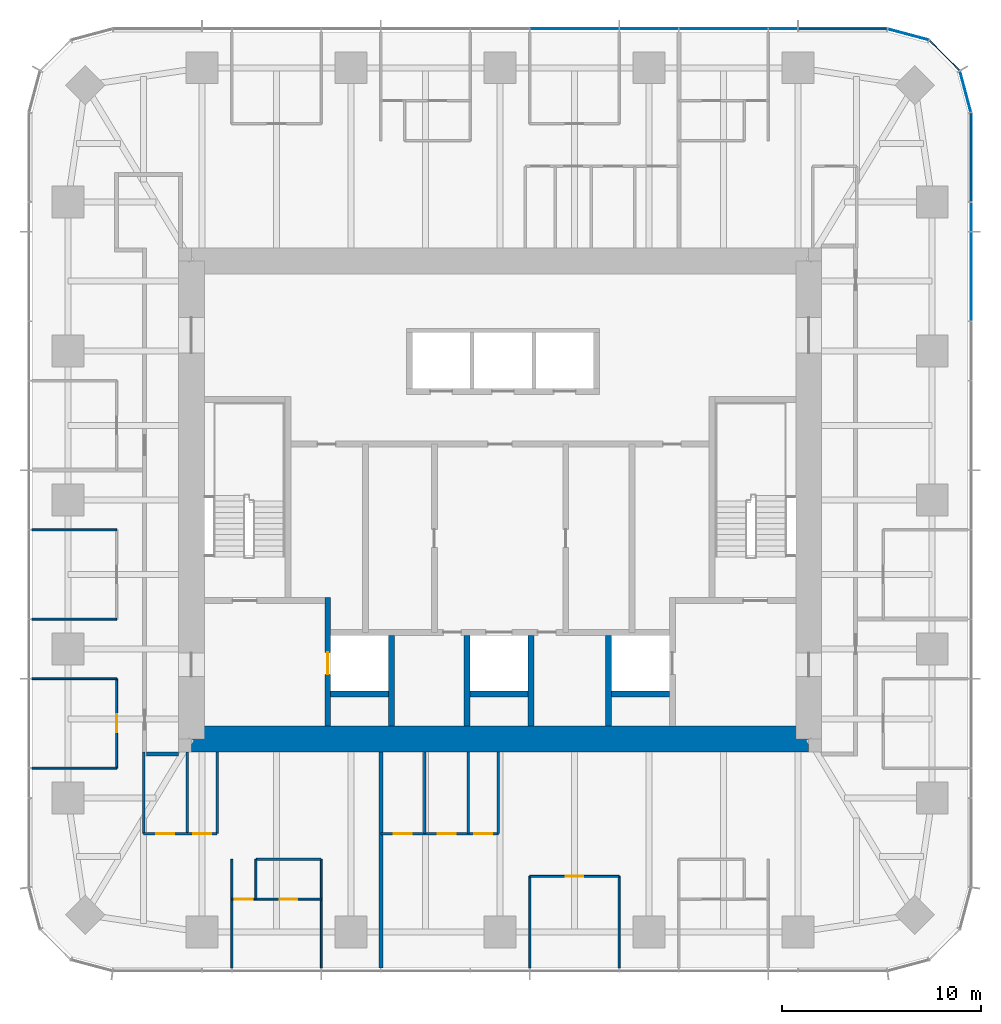
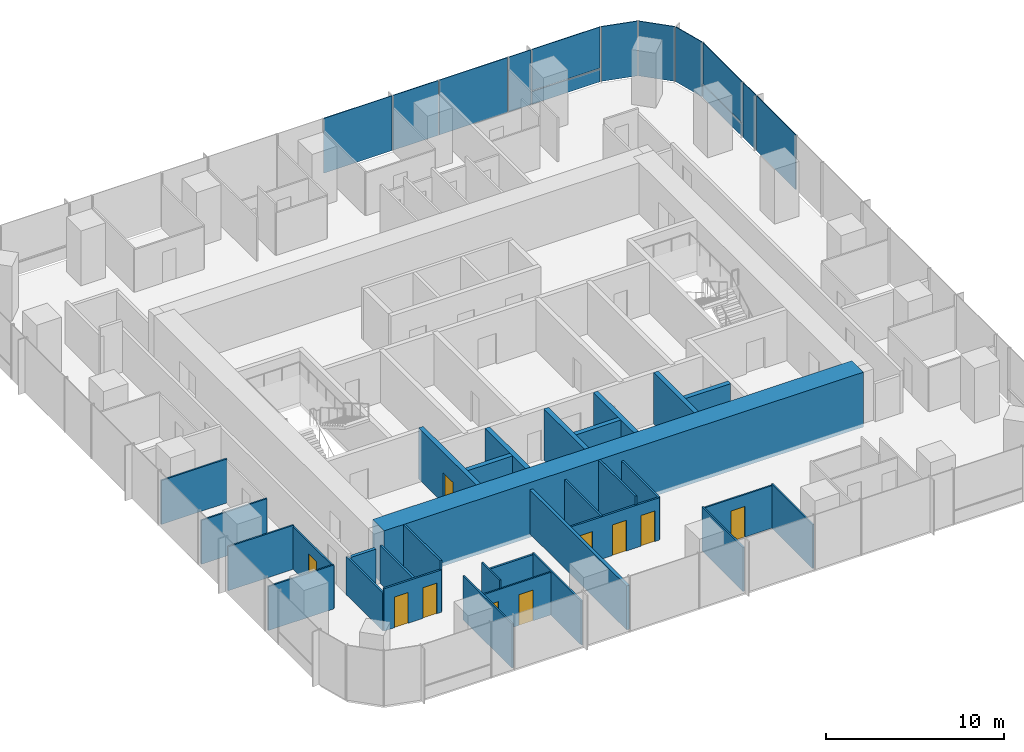
# One storey, part 8 of 12: 32 walls, 13 plates, 10 doors, 10 openings, 3 elements without a shape of their own.
"""IFC4 building model written with IfcOpenShell, lengths in metres."""

import ifcopenshell
import ifcopenshell.guid

model = None  # the IFC model being written
_history = None  # IfcOwnerHistory: only IFC2X3 demands one
_inside = {}  # id of a spatial element -> (the spatial element, [elements in it])
_under = {}  # id of a project, library or spatial element -> (it, [spatial elements below it])
_declared = {}  # id of a project -> (the project, [libraries it declares])
_typed = {}  # id of a type object -> (the type object, [elements of that type])
_made_of = {}  # id of a material, layer set ... -> (it, [elements and type objects made of it])


def new_model(schema):
    """Start an empty IFC model of exactly this schema.

    Asked for "IFC4X3", IfcOpenShell would pick the latest addendum, in which some entities
    have other attributes; the version numbers below select the first issue.
    IFC2X3 requires an IfcOwnerHistory on every rooted entity: one is made here for all.
    """
    global model, _history
    if schema == "IFC4X3":
        model = ifcopenshell.file(schema_version=(4, 3, 0, 0))
    else:
        model = ifcopenshell.file(schema=schema)
    _inside.clear()
    _under.clear()
    _declared.clear()
    _typed.clear()
    _made_of.clear()
    _history = None
    if model.schema == "IFC2X3":
        org = make("IfcOrganization", Name="unknown")
        user = make(
            "IfcPersonAndOrganization",
            ThePerson=make("IfcPerson", FamilyName="unknown"),
            TheOrganization=org,
        )
        app = make(
            "IfcApplication",
            ApplicationDeveloper=org,
            Version="unknown",
            ApplicationFullName="unknown",
            ApplicationIdentifier="unknown",
        )
        _history = make(
            "IfcOwnerHistory",
            OwningUser=user,
            OwningApplication=app,
            ChangeAction="ADDED",
            CreationDate=0,
        )
    return model


def make(cls, **values):
    """One entity of the class cls with the attributes given. An attribute that is None is left unset."""
    return model.create_entity(
        cls, **{name: value for name, value in values.items() if value is not None}
    )


def rooted(cls, **values):
    """An entity with a GlobalId (a new one), such as an element, a storey or a relation."""
    return make(cls, GlobalId=ifcopenshell.guid.new(), OwnerHistory=_history, **values)


def si_unit(unit_type, name, prefix=None):
    """IfcSIUnit, for example si_unit("LENGTHUNIT", "METRE", prefix="MILLI")."""
    return make("IfcSIUnit", UnitType=unit_type, Prefix=prefix, Name=name)


def assignment(units):
    """IfcUnitAssignment: the units of a project."""
    return None if units is None else make("IfcUnitAssignment", Units=units)


def point(xyz):
    """IfcCartesianPoint."""
    return None if xyz is None else make("IfcCartesianPoint", Coordinates=xyz)


def direction(xyz):
    """IfcDirection."""
    return None if xyz is None else make("IfcDirection", DirectionRatios=xyz)


def frame(location, z_axis=None, x_axis=None):
    """IfcAxis2Placement3D, a coordinate frame: its origin and axes. An axis left out is left unset."""
    return make(
        "IfcAxis2Placement3D",
        Location=point(location),
        Axis=direction(z_axis),
        RefDirection=direction(x_axis),
    )


def frame_2d(location, x_axis=None):
    """IfcAxis2Placement2D, a coordinate frame in the plane: its origin and x axis."""
    return make(
        "IfcAxis2Placement2D", Location=point(location), RefDirection=direction(x_axis)
    )


def origin():
    """The frame at (0, 0, 0) with its axes left unset."""
    return frame((0.0, 0.0, 0.0))


def origin_2d():
    """The frame at (0, 0) in the plane with its x axis left unset."""
    return frame_2d((0.0, 0.0))


def place(relative_to, where):
    """IfcLocalPlacement: puts the frame where relative to a parent placement (None: the world)."""
    return make(
        "IfcLocalPlacement", PlacementRelTo=relative_to, RelativePlacement=where
    )


def context(
    kind, dimensions, precision=None, world=None, true_north=None, identifier=None
):
    """IfcGeometricRepresentationContext, for example the 3D "Model" context."""
    return make(
        "IfcGeometricRepresentationContext",
        ContextIdentifier=identifier,
        ContextType=kind,
        CoordinateSpaceDimension=dimensions,
        Precision=precision,
        WorldCoordinateSystem=world,
        TrueNorth=true_north,
    )


def subcontext(parent, identifier, kind, view, scale=None):
    """IfcGeometricRepresentationSubContext, for example "Body" below "Model"."""
    return make(
        "IfcGeometricRepresentationSubContext",
        ContextIdentifier=identifier,
        ContextType=kind,
        ParentContext=parent,
        TargetScale=scale,
        TargetView=view,
    )


def project(units=None, contexts=None):
    """IfcProject with its units and contexts."""
    return rooted(
        "IfcProject",
        Name="project",
        RepresentationContexts=contexts,
        UnitsInContext=assignment(units),
    )


def spatial(cls, under=None, at=None, **own):
    """A site, building, storey or space (cls), placed at a placement, below another one or the project."""
    s = rooted(cls, ObjectPlacement=at, **own)
    if under is not None:
        _under.setdefault(under.id(), (under, []))[1].append(s)
    return s


def profile(cls, at=None, kind="AREA", **sizes):
    """A parametric profile (cls). Its sizes go by their IFC names, for example OverallWidth=200.0."""
    return make(cls, ProfileType=kind, Position=at, **sizes)


def rectangle(**sizes):
    """IfcRectangleProfileDef."""
    return profile("IfcRectangleProfileDef", **sizes)


def extrude(swept, where, along, depth):
    """IfcExtrudedAreaSolid: the profile swept, set in the frame where, extruded along a direction by depth."""
    return make(
        "IfcExtrudedAreaSolid",
        SweptArea=swept,
        Position=where,
        ExtrudedDirection=direction(along),
        Depth=depth,
    )


def shape(context_of_items, identifier, shape_type, items):
    """IfcShapeRepresentation: the items that make up one representation, for example the "Body"."""
    return make(
        "IfcShapeRepresentation",
        ContextOfItems=context_of_items,
        RepresentationIdentifier=identifier,
        RepresentationType=shape_type,
        Items=items,
    )


def material(Name=None, Category=None):
    """IfcMaterial."""
    return make("IfcMaterial", Name=Name, Category=Category)


def layer(
    of_material, thickness, ventilated=None, Name=None, Category=None, Priority=None
):
    """IfcMaterialLayer: one layer of a wall or slab, of a material (None: an air gap)."""
    return make(
        "IfcMaterialLayer",
        Material=of_material,
        LayerThickness=thickness,
        IsVentilated=ventilated,
        Name=Name,
        Category=Category,
        Priority=Priority,
    )


def layer_set(layers, Name=None):
    """IfcMaterialLayerSet."""
    return make("IfcMaterialLayerSet", MaterialLayers=layers, LayerSetName=Name)


def made_of(thing, what):
    """Note that an element or type object is made of a material, layer set ...; save() writes the relation."""
    if what is not None:
        _made_of.setdefault(what.id(), (what, []))[1].append(thing)
    return thing


def type_object(cls, material=None, **own):
    """A type object (cls), such as IfcWallType, which elements share."""
    return made_of(rooted(cls, **own), material)


def element(
    cls,
    number,
    at=None,
    inside=None,
    cuts=None,
    type_object=None,
    material=None,
    context=None,
    identifier="Body",
    shape_type=None,
    held_by="IfcProductDefinitionShape",
    body=None,
    shapes=None,
    **own,
):
    """One element of the class cls, such as IfcWall. Its Tag is "e" and its number.

    at: its placement. inside: the storey or other place that contains it. cuts: it is an
    opening in that element (IfcRelVoidsElement). A single representation is given by context,
    identifier, shape_type and body (its items); several are given by shapes. held_by: the class
    of the entity that holds the representations. save() writes the other relations.
    """
    e = rooted(cls, Tag="e%d" % number, ObjectPlacement=at, **own)
    if body is not None:
        shapes = [shape(context, identifier, shape_type, body)]
    if shapes is not None:
        e.Representation = make(held_by, Representations=shapes)
    if inside is not None:
        _inside.setdefault(inside.id(), (inside, []))[1].append(e)
    if cuts is not None:
        rooted(
            "IfcRelVoidsElement", RelatingBuildingElement=cuts, RelatedOpeningElement=e
        )
    if type_object is not None:
        _typed.setdefault(type_object.id(), (type_object, []))[1].append(e)
    return made_of(e, material)


def fill(opening, filler):
    """IfcRelFillsElement: the door or window that sits in an opening."""
    return rooted(
        "IfcRelFillsElement",
        RelatingOpeningElement=opening,
        RelatedBuildingElement=filler,
    )


def aggregate(whole, parts):
    """IfcRelAggregates: a whole, such as a stair, and the parts it consists of."""
    return rooted("IfcRelAggregates", RelatingObject=whole, RelatedObjects=parts)


def save(model, path):
    """Write the relations noted so far, then the file.

    IfcRelAggregates (storeys below a building ...), IfcRelContainedInSpatialStructure (elements
    in a storey), IfcRelDefinesByType, IfcRelAssociatesMaterial and IfcRelDeclares: one each for
    every whole, place, type object, material and project.
    """
    for whole, parts in _under.values():
        aggregate(whole, parts)
    for where, things in _inside.values():
        rooted(
            "IfcRelContainedInSpatialStructure",
            RelatedElements=things,
            RelatingStructure=where,
        )
    for kind, things in _typed.values():
        rooted("IfcRelDefinesByType", RelatedObjects=things, RelatingType=kind)
    for what, things in _made_of.values():
        rooted("IfcRelAssociatesMaterial", RelatedObjects=things, RelatingMaterial=what)
    for by, libraries in _declared.values():
        rooted("IfcRelDeclares", RelatingContext=by, RelatedDefinitions=libraries)
    model.write(path)


model = new_model("IFC4")

# Units and contexts
model_context = context("Model", 3, precision=1e-05, world=origin(), true_north=direction((0.0, 1.0)))
body_context = subcontext(model_context, "Body", "Model", "MODEL_VIEW")
ifc_project = project(units=[si_unit("LENGTHUNIT", "METRE"), si_unit("AREAUNIT", "SQUARE_METRE"), si_unit("VOLUMEUNIT", "CUBIC_METRE"), si_unit("PLANEANGLEUNIT", "RADIAN"), si_unit("MASSUNIT", "GRAM", prefix="KILO")], contexts=[model_context])

# Site, building, storey
site_placement = place(None, origin())
site = spatial("IfcSite", under=ifc_project, at=site_placement, CompositionType="ELEMENT")
building_placement = place(site_placement, origin())
building = spatial("IfcBuilding", under=site, at=building_placement, Name="Khuree Lantern Residences", CompositionType="ELEMENT")
storey_placement = place(building_placement, frame((0.0, 0.0, 312.0)))
storey = spatial("IfcBuildingStorey", under=building, at=storey_placement, Name="L78", CompositionType="ELEMENT", Elevation=312.0)

# Curtain wall, plates
ifc_material_1 = material(Name="Bronze anodised aluminium", Category="aluminium")
curtain_wall_type_1 = type_object("IfcCurtainWallType", Name="CW-T2 TOWER CORNER CURTAIN WALL", PredefinedType="USERDEFINED", material=ifc_material_1)
curtain_wall_1_placement = place(storey_placement, origin())
curtain_wall_1 = element("IfcCurtainWall", 1, at=curtain_wall_1_placement, inside=storey, type_object=curtain_wall_type_1, Name="L78 NORTH-EAST CORNER CURTAIN WALL", ObjectType="Faceted corner curtain wall", PredefinedType="USERDEFINED")
ifc_material_2 = material(Name="Bronze tinted triple glazing", Category="glass")
ifc_layer_1 = layer(ifc_material_2, 0.048095703125)
ifc_layer_set_1 = layer_set([ifc_layer_1], Name="FACET PANEL P4")
plate_type_1 = type_object("IfcPlateType", Name="FACET PANEL P4", PredefinedType="CURTAIN_PANEL", material=ifc_layer_set_1)
plate_1_placement = place(storey_placement, frame((23.369140625, 20.498046875, 0.0), z_axis=(0.0, 0.0, 1.0), x_axis=(-0.2588189146, 0.965925861257, 0.0)))
plate_1 = element("IfcPlate", 2, at=plate_1_placement, type_object=plate_type_1, Name="L78 NORTH-EAST CORNER PANEL 15.1", PredefinedType="CURTAIN_PANEL", context=body_context, shape_type="SweptSolid", body=[
    extrude(rectangle(XDim=2.09814453125, YDim=0.048095703125, at=origin_2d()), origin(), (0.0, 0.0, 1.0), 3.75),
])
plate_2_placement = place(storey_placement, frame((22.318603515625, 22.318603515625, 0.0), z_axis=(0.0, 0.0, 1.0), x_axis=(-0.707106781187, 0.707106781187, 0.0)))
plate_2 = element("IfcPlate", 3, at=plate_2_placement, type_object=plate_type_1, Name="L78 NORTH-EAST CORNER PANEL 16.1", PredefinedType="CURTAIN_PANEL", context=body_context, shape_type="SweptSolid", body=[
    extrude(rectangle(XDim=2.093994140625, YDim=0.048095703125, at=origin_2d()), origin(), (0.0, 0.0, 1.0), 3.75),
])
plate_3_placement = place(storey_placement, frame((20.498046875, 23.369140625, 0.0), z_axis=(0.0, 0.0, 1.0), x_axis=(-0.965925861257, 0.2588189146, 0.0)))
plate_3 = element("IfcPlate", 4, at=plate_3_placement, type_object=plate_type_1, Name="L78 NORTH-EAST CORNER PANEL 17.1", PredefinedType="CURTAIN_PANEL", context=body_context, shape_type="SweptSolid", body=[
    extrude(rectangle(XDim=2.09814453125, YDim=0.048095703125, at=origin_2d()), origin(), (0.0, 0.0, 1.0), 3.75),
])
aggregate(curtain_wall_1, [plate_1, plate_2, plate_3])

# Curtain wall, plate
curtain_wall_type_2 = type_object("IfcCurtainWallType", Name="CW-T1 TOWER FACE CURTAIN WALL", PredefinedType="USERDEFINED", material=ifc_material_1)
curtain_wall_2_placement = place(storey_placement, origin())
curtain_wall_2 = element("IfcCurtainWall", 5, at=curtain_wall_2_placement, inside=storey, type_object=curtain_wall_type_2, Name="L78 EAST FACE CURTAIN WALL", ObjectType="Stick-built curtain wall", PredefinedType="USERDEFINED")
ifc_material_3 = material(Name="Bronze tinted triple glazing with a ceramic-fritted spandrel band", Category="glass")
ifc_layer_2 = layer(ifc_material_3, 0.048095703125)
ifc_layer_set_2 = layer_set([ifc_layer_2], Name="FIXED LIGHT PANEL P11")
plate_type_2 = type_object("IfcPlateType", Name="FIXED LIGHT PANEL P11", PredefinedType="CURTAIN_PANEL", material=ifc_layer_set_2)
plate_4_placement = place(storey_placement, frame((23.64990234375, 11.219970703125, 0.0), z_axis=(0.0, 0.0, 1.0), x_axis=(0.0, 1.0, 0.0)))
plate_4 = element("IfcPlate", 6, at=plate_4_placement, type_object=plate_type_2, Name="L78 EAST FACE PANEL 12.1", PredefinedType="CURTAIN_PANEL", context=body_context, shape_type="SweptSolid", body=[
    extrude(rectangle(XDim=4.423095703125, YDim=0.048095703125, at=origin_2d()), origin(), (0.0, 0.0, 1.0), 3.75),
])

# Curtain wall, plates
curtain_wall_3_placement = place(storey_placement, origin())
curtain_wall_3 = element("IfcCurtainWall", 7, at=curtain_wall_3_placement, inside=storey, type_object=curtain_wall_type_2, Name="L78 NORTH FACE CURTAIN WALL", ObjectType="Stick-built curtain wall", PredefinedType="USERDEFINED")
plate_5_placement = place(storey_placement, frame((11.219970703125, 23.64990234375, 0.0), z_axis=(0.0, 0.0, 1.0), x_axis=(-1.0, 0.0, 0.0)))
plate_5 = element("IfcPlate", 8, at=plate_5_placement, type_object=plate_type_2, Name="L78 NORTH FACE PANEL 20.1", PredefinedType="CURTAIN_PANEL", context=body_context, shape_type="SweptSolid", body=[
    extrude(rectangle(XDim=4.423095703125, YDim=0.048095703125, at=origin_2d()), origin(), (0.0, 0.0, 1.0), 3.75),
])
plate_6_placement = place(storey_placement, frame((3.739990234375, 23.64990234375, 0.0), z_axis=(0.0, 0.0, 1.0), x_axis=(-1.0, 0.0, 0.0)))
plate_6 = element("IfcPlate", 9, at=plate_6_placement, type_object=plate_type_2, Name="L78 NORTH FACE PANEL 22.1", PredefinedType="CURTAIN_PANEL", context=body_context, shape_type="SweptSolid", body=[
    extrude(rectangle(XDim=4.423095703125, YDim=0.048095703125, at=origin_2d()), origin(), (0.0, 0.0, 1.0), 3.75),
])
ifc_material_4 = material(Name="Bronze tinted triple glazing, two aluminium-framed sashes in one frame", Category="aluminium")
ifc_layer_3 = layer(ifc_material_4, 0.048095703125)
ifc_layer_set_3 = layer_set([ifc_layer_3], Name="SASH PAIR PANEL P12")
plate_type_3 = type_object("IfcPlateType", Name="SASH PAIR PANEL P12", PredefinedType="CURTAIN_PANEL", material=ifc_layer_set_3)
plate_7_placement = place(storey_placement, frame((7.47998046875, 23.64990234375, 0.0), z_axis=(0.0, 0.0, 1.0), x_axis=(-1.0, 0.0, 0.0)))
plate_7 = element("IfcPlate", 10, at=plate_7_placement, type_object=plate_type_3, Name="L78 NORTH FACE PANEL 21.1", PredefinedType="CURTAIN_PANEL", context=body_context, shape_type="SweptSolid", body=[
    extrude(rectangle(XDim=2.927001953125, YDim=0.048095703125, at=origin_2d()), origin(), (0.0, 0.0, 1.0), 3.75),
])

# Plate
ifc_material_5 = material(Name="Bronze tinted triple glazing, aluminium-framed sash", Category="aluminium")
ifc_layer_4 = layer(ifc_material_5, 0.048095703125)
ifc_layer_set_4 = layer_set([ifc_layer_4], Name="SASH PANEL P3")
plate_type_4 = type_object("IfcPlateType", Name="SASH PANEL P3", PredefinedType="CURTAIN_PANEL", material=ifc_layer_set_4)
plate_8_placement = place(storey_placement, frame((23.64990234375, 14.2119140625, 0.0), z_axis=(0.0, 0.0, 1.0), x_axis=(0.0, 1.0, 0.0)))
plate_8 = element("IfcPlate", 11, at=plate_8_placement, type_object=plate_type_4, Name="L78 EAST FACE PANEL 13.1", PredefinedType="CURTAIN_PANEL", context=body_context, shape_type="SweptSolid", body=[
    extrude(rectangle(XDim=1.430908203125, YDim=0.048095703125, at=origin_2d()), origin(), (0.0, 0.0, 1.0), 3.75),
])

plate_9_placement = place(storey_placement, frame((14.2119140625, 23.64990234375, 0.0), z_axis=(0.0, 0.0, 1.0), x_axis=(-1.0, 0.0, 0.0)))
plate_9 = element("IfcPlate", 12, at=plate_9_placement, type_object=plate_type_4, Name="L78 NORTH FACE PANEL 19.1", PredefinedType="CURTAIN_PANEL", context=body_context, shape_type="SweptSolid", body=[
    extrude(rectangle(XDim=1.430908203125, YDim=0.048095703125, at=origin_2d()), origin(), (0.0, 0.0, 1.0), 3.75),
])

ifc_material_6 = material(Name="Bronze anodised aluminium insulated spandrel", Category="aluminium")
ifc_layer_5 = layer(ifc_material_6, 0.06005859375)
ifc_layer_set_5 = layer_set([ifc_layer_5], Name="SPANDREL PANEL P2")
plate_type_5 = type_object("IfcPlateType", Name="SPANDREL PANEL P2", PredefinedType="CURTAIN_PANEL", material=ifc_layer_set_5)
plate_10_placement = place(storey_placement, frame((23.64990234375, 17.202880859375, 0.0), z_axis=(0.0, 0.0, 1.0), x_axis=(0.0, 1.0, 0.0)))
plate_10 = element("IfcPlate", 13, at=plate_10_placement, type_object=plate_type_5, Name="L78 EAST FACE PANEL 14.1", PredefinedType="CURTAIN_PANEL", context=body_context, shape_type="SweptSolid", body=[
    extrude(rectangle(XDim=4.420654296875, YDim=0.06005859375, at=origin_2d()), origin(), (0.0, 0.0, 1.0), 0.867431640625),
])

plate_11_placement = place(storey_placement, frame((17.202880859375, 23.64990234375, 0.0), z_axis=(0.0, 0.0, 1.0), x_axis=(-1.0, 0.0, 0.0)))
plate_11 = element("IfcPlate", 14, at=plate_11_placement, type_object=plate_type_5, Name="L78 NORTH FACE PANEL 18.1", PredefinedType="CURTAIN_PANEL", context=body_context, shape_type="SweptSolid", body=[
    extrude(rectangle(XDim=4.420654296875, YDim=0.06005859375, at=origin_2d()), origin(), (0.0, 0.0, 1.0), 0.867431640625),
])

ifc_layer_6 = layer(ifc_material_2, 0.048095703125)
ifc_layer_set_6 = layer_set([ifc_layer_6], Name="VISION PANEL P1")
plate_type_6 = type_object("IfcPlateType", Name="VISION PANEL P1", PredefinedType="CURTAIN_PANEL", material=ifc_layer_set_6)
plate_12_placement = place(storey_placement, frame((23.64990234375, 17.203369140625, 0.9326171875), z_axis=(0.0, 0.0, 1.0), x_axis=(0.0, 1.0, 0.0)))
plate_12 = element("IfcPlate", 15, at=plate_12_placement, type_object=plate_type_6, Name="L78 EAST FACE PANEL 14.2", PredefinedType="CURTAIN_PANEL", context=body_context, shape_type="SweptSolid", body=[
    extrude(rectangle(XDim=4.421630859375, YDim=0.048095703125, at=origin_2d()), origin(), (0.0, 0.0, 1.0), 2.8173828125),
])

aggregate(curtain_wall_2, [plate_4, plate_8, plate_10, plate_12])

plate_13_placement = place(storey_placement, frame((17.203369140625, 23.64990234375, 0.9326171875), z_axis=(0.0, 0.0, 1.0), x_axis=(-1.0, 0.0, 0.0)))
plate_13 = element("IfcPlate", 16, at=plate_13_placement, type_object=plate_type_6, Name="L78 NORTH FACE PANEL 18.2", PredefinedType="CURTAIN_PANEL", context=body_context, shape_type="SweptSolid", body=[
    extrude(rectangle(XDim=4.421630859375, YDim=0.048095703125, at=origin_2d()), origin(), (0.0, 0.0, 1.0), 2.8173828125),
])

aggregate(curtain_wall_3, [plate_11, plate_13, plate_9, plate_5, plate_7, plate_6])

# Wall
ifc_material_7 = material(Name="Moisture-resistant gypsum board on steel studs", Category="steel")
ifc_layer_7 = layer(ifc_material_7, 0.125)
ifc_layer_set_7 = layer_set([ifc_layer_7], Name="BATHROOM WALL BTW125")
wall_type_1 = type_object("IfcWallType", Name="BATHROOM WALL BTW125", PredefinedType="PARTITIONING", material=ifc_layer_set_7)
wall_1_placement = place(storey_placement, frame((-12.263916015625, -18.04638671875, 0.0), z_axis=(0.0, 0.0, 1.0), x_axis=(1.0, 0.0, 0.0)))
element("IfcWall", 17, at=wall_1_placement, inside=storey, type_object=wall_type_1, Name="L78 BATHROOM WALL 03", PredefinedType="PARTITIONING", context=body_context, shape_type="SweptSolid", body=[
    extrude(rectangle(XDim=3.287841796875, YDim=0.125, at=frame_2d((1.64404296875, 0.0))), origin(), (0.0, 0.0, 1.0), 2.909912109375),
])

# Wall, openings, doors
wall_2_placement = place(storey_placement, frame((-17.89990234375, -16.746337890625, 0.0), z_axis=(0.0, 0.0, 1.0), x_axis=(1.0, 0.0, 0.0)))
wall_2 = element("IfcWall", 18, at=wall_2_placement, inside=storey, type_object=wall_type_1, Name="L78 BATHROOM WALL 03", PredefinedType="PARTITIONING", context=body_context, shape_type="SweptSolid", body=[
    extrude(rectangle(XDim=3.699951171875, YDim=0.125, at=frame_2d((1.85009765625, 0.0))), origin(), (0.0, 0.0, 1.0), 2.89990234375),
])
opening_1_placement = place(wall_2_placement, frame((0.64990234375, 0.0, 0.0)))
opening_1 = element("IfcOpeningElement", 19, at=opening_1_placement, cuts=wall_2, Name="Opening 78-039", PredefinedType="OPENING", context=body_context, shape_type="SweptSolid", body=[
    extrude(rectangle(XDim=0.89990234375, YDim=2.10009765625, at=frame_2d((0.449951171875, 1.050048828125))), frame((0.0, 0.072509765625, 0.0), z_axis=(0.0, -1.0, 0.0), x_axis=(1.0, 0.0, 0.0)), (0.0, 0.0, 1.0), 0.14501953125),
])
opening_2_placement = place(wall_2_placement, frame((2.5, 0.0, 0.0)))
opening_2 = element("IfcOpeningElement", 20, at=opening_2_placement, cuts=wall_2, Name="Opening 78-040", PredefinedType="OPENING", context=body_context, shape_type="SweptSolid", body=[
    extrude(rectangle(XDim=0.89990234375, YDim=2.10009765625, at=frame_2d((0.449951171875, 1.050048828125))), frame((0.0, 0.072509765625, 0.0), z_axis=(0.0, -1.0, 0.0), x_axis=(1.0, 0.0, 0.0)), (0.0, 0.0, 1.0), 0.14501953125),
])
ifc_material_8 = material(Name="Timber door leaf in hardwood frame", Category="wood")
door_type_1 = type_object("IfcDoorType", Name="BATHROOM DOOR 900X2100", OperationType="SINGLE_SWING_LEFT", PredefinedType="DOOR", material=ifc_material_8)
door_1_placement = place(opening_1_placement, origin())
door_1 = element("IfcDoor", 21, at=door_1_placement, inside=storey, type_object=door_type_1, Name="Bathroom door 78-039", OperationType="SINGLE_SWING_LEFT", OverallHeight=2.10009765625, OverallWidth=0.89990234375, PredefinedType="DOOR", context=body_context, shape_type="SweptSolid", body=[
    extrude(rectangle(XDim=0.89990234375, YDim=2.10009765625, at=frame_2d((0.449951171875, 1.050048828125))), frame((0.0, 0.02490234375, 0.0), z_axis=(0.0, -1.0, 0.0), x_axis=(1.0, 0.0, 0.0)), (0.0, 0.0, 1.0), 0.050048828125),
])
fill(opening_1, door_1)
door_type_2 = type_object("IfcDoorType", Name="WC DOOR 900X2100", OperationType="SINGLE_SWING_LEFT", PredefinedType="DOOR", material=ifc_material_8)
door_2_placement = place(opening_2_placement, origin())
door_2 = element("IfcDoor", 22, at=door_2_placement, inside=storey, type_object=door_type_2, Name="WC door 78-040", OperationType="SINGLE_SWING_LEFT", OverallHeight=2.10009765625, OverallWidth=0.89990234375, PredefinedType="DOOR", context=body_context, shape_type="SweptSolid", body=[
    extrude(rectangle(XDim=0.89990234375, YDim=2.10009765625, at=frame_2d((0.449951171875, 1.050048828125))), frame((0.0, 0.02490234375, 0.0), z_axis=(0.0, -1.0, 0.0), x_axis=(1.0, 0.0, 0.0)), (0.0, 0.0, 1.0), 0.050048828125),
])
fill(opening_2, door_2)

# Walls
for number, where, z_axis, x_axis, name in (
    (23, (-17.89990234375, -12.64990234375, 0.0), (0.0, 0.0, 1.0), (0.0, -1.0, 0.0), "L78 BATHROOM WALL 03"),
    (24, (-15.699951171875, -12.64990234375, 0.0), (0.0, 0.0, 1.0), (0.0, -1.0, 0.0), "L78 BATHROOM WALL 03"),
):
    element("IfcWall", number, at=place(storey_placement, frame(where, z_axis=z_axis, x_axis=x_axis)), inside=storey, type_object=wall_type_1, Name=name, PredefinedType="PARTITIONING", context=body_context, shape_type="SweptSolid", body=[
        extrude(rectangle(XDim=4.096435546875, YDim=0.125, at=frame_2d((2.04833984375, 0.0))), origin(), (0.0, 0.0, 1.0), 2.60009765625),
    ])
wall_3_placement = place(storey_placement, frame((-14.199951171875, -12.64990234375, 0.0), z_axis=(0.0, 0.0, 1.0), x_axis=(0.0, -1.0, 0.0)))
element("IfcWall", 25, at=wall_3_placement, inside=storey, type_object=wall_type_1, Name="L78 BATHROOM WALL 03", PredefinedType="PARTITIONING", context=body_context, shape_type="SweptSolid", body=[
    extrude(rectangle(XDim=4.096435546875, YDim=0.125, at=frame_2d((2.04833984375, 0.0))), origin(), (0.0, 0.0, 1.0), 3.5),
])

# Wall, openings, doors
wall_4_placement = place(storey_placement, frame((-5.98388671875, -16.746337890625, 0.0), z_axis=(0.0, 0.0, 1.0), x_axis=(1.0, 0.0, 0.0)))
wall_4 = element("IfcWall", 26, at=wall_4_placement, inside=storey, type_object=wall_type_1, Name="L78 BATHROOM WALL 04", PredefinedType="PARTITIONING", context=body_context, shape_type="SweptSolid", body=[
    extrude(rectangle(XDim=5.89990234375, YDim=0.125, at=frame_2d((2.949951171875, 0.0))), origin(), (0.0, 0.0, 1.0), 2.89990234375),
])
opening_3_placement = place(wall_4_placement, frame((0.64990234375, 0.0, 0.0)))
opening_3 = element("IfcOpeningElement", 27, at=opening_3_placement, cuts=wall_4, Name="Opening 78-046", PredefinedType="OPENING", context=body_context, shape_type="SweptSolid", body=[
    extrude(rectangle(XDim=0.89990234375, YDim=2.10009765625, at=frame_2d((0.449951171875, 1.050048828125))), frame((0.0, 0.072509765625, 0.0), z_axis=(0.0, -1.0, 0.0), x_axis=(1.0, 0.0, 0.0)), (0.0, 0.0, 1.0), 0.14501953125),
])
opening_4_placement = place(wall_4_placement, frame((2.85009765625, 0.0, 0.0)))
opening_4 = element("IfcOpeningElement", 28, at=opening_4_placement, cuts=wall_4, Name="Opening 78-047", PredefinedType="OPENING", context=body_context, shape_type="SweptSolid", body=[
    extrude(rectangle(XDim=0.89990234375, YDim=2.10009765625, at=frame_2d((0.449951171875, 1.050048828125))), frame((0.0, 0.072509765625, 0.0), z_axis=(0.0, -1.0, 0.0), x_axis=(1.0, 0.0, 0.0)), (0.0, 0.0, 1.0), 0.14501953125),
])
opening_5_placement = place(wall_4_placement, frame((4.699951171875, 0.0, 0.0)))
opening_5 = element("IfcOpeningElement", 29, at=opening_5_placement, cuts=wall_4, Name="Opening 78-048", PredefinedType="OPENING", context=body_context, shape_type="SweptSolid", body=[
    extrude(rectangle(XDim=0.89990234375, YDim=2.10009765625, at=frame_2d((0.449951171875, 1.050048828125))), frame((0.0, 0.072509765625, 0.0), z_axis=(0.0, -1.0, 0.0), x_axis=(1.0, 0.0, 0.0)), (0.0, 0.0, 1.0), 0.14501953125),
])
door_3_placement = place(opening_3_placement, origin())
door_3 = element("IfcDoor", 30, at=door_3_placement, inside=storey, type_object=door_type_1, Name="Bathroom door 78-046", OperationType="SINGLE_SWING_LEFT", OverallHeight=2.10009765625, OverallWidth=0.89990234375, PredefinedType="DOOR", context=body_context, shape_type="SweptSolid", body=[
    extrude(rectangle(XDim=0.89990234375, YDim=2.10009765625, at=frame_2d((0.449951171875, 1.050048828125))), frame((0.0, 0.02490234375, 0.0), z_axis=(0.0, -1.0, 0.0), x_axis=(1.0, 0.0, 0.0)), (0.0, 0.0, 1.0), 0.050048828125),
])
fill(opening_3, door_3)
door_4_placement = place(opening_4_placement, origin())
door_4 = element("IfcDoor", 31, at=door_4_placement, inside=storey, type_object=door_type_1, Name="Bathroom door 78-047", OperationType="SINGLE_SWING_LEFT", OverallHeight=2.10009765625, OverallWidth=0.89990234375, PredefinedType="DOOR", context=body_context, shape_type="SweptSolid", body=[
    extrude(rectangle(XDim=0.89990234375, YDim=2.10009765625, at=frame_2d((0.449951171875, 1.050048828125))), frame((0.0, 0.02490234375, 0.0), z_axis=(0.0, -1.0, 0.0), x_axis=(1.0, 0.0, 0.0)), (0.0, 0.0, 1.0), 0.050048828125),
])
fill(opening_4, door_4)
door_5_placement = place(opening_5_placement, origin())
door_5 = element("IfcDoor", 32, at=door_5_placement, inside=storey, type_object=door_type_2, Name="WC door 78-048", OperationType="SINGLE_SWING_LEFT", OverallHeight=2.10009765625, OverallWidth=0.89990234375, PredefinedType="DOOR", context=body_context, shape_type="SweptSolid", body=[
    extrude(rectangle(XDim=0.89990234375, YDim=2.10009765625, at=frame_2d((0.449951171875, 1.050048828125))), frame((0.0, 0.02490234375, 0.0), z_axis=(0.0, -1.0, 0.0), x_axis=(1.0, 0.0, 0.0)), (0.0, 0.0, 1.0), 0.050048828125),
])
fill(opening_5, door_5)

# Walls
wall_5_placement = place(storey_placement, frame((-3.783935546875, -12.64990234375, 0.0), z_axis=(0.0, 0.0, 1.0), x_axis=(0.0, -1.0, 0.0)))
element("IfcWall", 33, at=wall_5_placement, inside=storey, type_object=wall_type_1, Name="L78 BATHROOM WALL 04", PredefinedType="PARTITIONING", context=body_context, shape_type="SweptSolid", body=[
    extrude(rectangle(XDim=4.096435546875, YDim=0.125, at=frame_2d((2.04833984375, 0.0))), origin(), (0.0, 0.0, 1.0), 2.909912109375),
])
wall_6_placement = place(storey_placement, frame((-1.583984375, -12.64990234375, 0.0), z_axis=(0.0, 0.0, 1.0), x_axis=(0.0, -1.0, 0.0)))
element("IfcWall", 34, at=wall_6_placement, inside=storey, type_object=wall_type_1, Name="L78 BATHROOM WALL 04", PredefinedType="PARTITIONING", context=body_context, shape_type="SweptSolid", body=[
    extrude(rectangle(XDim=4.096435546875, YDim=0.125, at=frame_2d((2.04833984375, 0.0))), origin(), (0.0, 0.0, 1.0), 3.5),
])
wall_7_placement = place(storey_placement, frame((-0.083984375, -12.64990234375, 0.0), z_axis=(0.0, 0.0, 1.0), x_axis=(0.0, -1.0, 0.0)))
element("IfcWall", 35, at=wall_7_placement, inside=storey, type_object=wall_type_1, Name="L78 BATHROOM WALL 04", PredefinedType="PARTITIONING", context=body_context, shape_type="SweptSolid", body=[
    extrude(rectangle(XDim=4.096435546875, YDim=0.125, at=frame_2d((2.04833984375, 0.0))), origin(), (0.0, 0.0, 1.0), 2.89990234375),
])

# Wall, opening, door
ifc_material_9 = material(Name="Dense concrete blockwork", Category="masonry")
ifc_layer_8 = layer(ifc_material_9, 0.300048828125)
ifc_layer_set_8 = layer_set([ifc_layer_8], Name="CORE PARTITION WALL CPW300 EI 120")
wall_type_2 = type_object("IfcWallType", Name="CORE PARTITION WALL CPW300 EI 120", PredefinedType="PARTITIONING", material=ifc_layer_set_8)
wall_8_placement = place(storey_placement, frame((-8.64990234375, -11.35009765625, 0.0), z_axis=(0.0, 0.0, 1.0), x_axis=(0.0, 1.0, 0.0)))
wall_8 = element("IfcWall", 36, at=wall_8_placement, inside=storey, type_object=wall_type_2, Name="L78 CORE WALL FL1W", PredefinedType="PARTITIONING", context=body_context, shape_type="SweptSolid", body=[
    extrude(rectangle(XDim=6.4501953125, YDim=0.300048828125, at=frame_2d((3.22509765625, 0.0))), origin(), (0.0, 0.0, 1.0), 3.5),
])
opening_6_placement = place(wall_8_placement, frame((2.60009765625, 0.0, 0.0)))
opening_6 = element("IfcOpeningElement", 37, at=opening_6_placement, cuts=wall_8, Name="Opening 78-007", PredefinedType="OPENING", context=body_context, shape_type="SweptSolid", body=[
    extrude(rectangle(XDim=1.10009765625, YDim=2.10009765625, at=frame_2d((0.550048828125, 1.050048828125))), frame((0.0, 0.16015625, 0.0), z_axis=(0.0, -1.0, 0.0), x_axis=(1.0, 0.0, 0.0)), (0.0, 0.0, 1.0), 0.320068359375),
])
ifc_material_10 = material(Name="Stainless steel lift landing door", Category="steel")
door_type_3 = type_object("IfcDoorType", Name="LIFT LANDING DOOR 1100X2100 E 120", OperationType="DOUBLE_DOOR_SLIDING", PredefinedType="DOOR", material=ifc_material_10)
door_6_placement = place(opening_6_placement, origin())
door_6 = element("IfcDoor", 38, at=door_6_placement, inside=storey, type_object=door_type_3, Name="Landing door FL1 78-007", OperationType="DOUBLE_DOOR_SLIDING", OverallHeight=2.10009765625, OverallWidth=1.10009765625, PredefinedType="DOOR", context=body_context, shape_type="SweptSolid", body=[
    extrude(rectangle(XDim=1.10009765625, YDim=2.10009765625, at=frame_2d((0.550048828125, 1.050048828125))), frame((0.0, 0.02490234375, 0.0), z_axis=(0.0, -1.0, 0.0), x_axis=(1.0, 0.0, 0.0)), (0.0, 0.0, 1.0), 0.050048828125),
])
fill(opening_6, door_6)

# Walls
for number, where, z_axis, x_axis, name in (
    (39, (-5.449951171875, -11.35009765625, 0.0), (0.0, 0.0, 1.0), (0.0, 1.0, 0.0), "L78 CORE WALL FL1E"),
    (40, (-1.64990234375, -11.35009765625, 0.0), (0.0, 0.0, 1.0), (0.0, 1.0, 0.0), "L78 CORE WALL SL1W"),
    (41, (1.550048828125, -11.35009765625, 0.0), (0.0, 0.0, 1.0), (0.0, 1.0, 0.0), "L78 CORE WALL SL1E"),
    (42, (5.449951171875, -11.35009765625, 0.0), (0.0, 0.0, 1.0), (0.0, 1.0, 0.0), "L78 CORE WALL FL2W"),
):
    element("IfcWall", number, at=place(storey_placement, frame(where, z_axis=z_axis, x_axis=x_axis)), inside=storey, type_object=wall_type_2, Name=name, PredefinedType="PARTITIONING", context=body_context, shape_type="SweptSolid", body=[
        extrude(rectangle(XDim=4.550048828125, YDim=0.300048828125, at=frame_2d((2.27490234375, 0.0))), origin(), (0.0, 0.0, 1.0), 3.5),
    ])
for number, where, z_axis, x_axis, name in (
    (43, (-8.5, -9.75, 0.0), (0.0, 0.0, 1.0), (1.0, 0.0, 0.0), "L78 CORE WALL FL1S"),
    (44, (-1.5, -9.75, 0.0), (0.0, 0.0, 1.0), (1.0, 0.0, 0.0), "L78 CORE WALL SL1S"),
    (45, (5.60009765625, -9.75, 0.0), (0.0, 0.0, 1.0), (1.0, 0.0, 0.0), "L78 CORE WALL FL2S"),
):
    element("IfcWall", number, at=place(storey_placement, frame(where, z_axis=z_axis, x_axis=x_axis)), inside=storey, type_object=wall_type_2, Name=name, PredefinedType="PARTITIONING", context=body_context, shape_type="SweptSolid", body=[
        extrude(rectangle(XDim=2.89990234375, YDim=0.300048828125, at=frame_2d((1.449951171875, 0.0))), origin(), (0.0, 0.0, 1.0), 3.5),
    ])
ifc_material_11 = material(Name="Gypsum board on steel studs", Category="steel")
ifc_layer_9 = layer(ifc_material_11, 0.199951171875)
ifc_layer_set_9 = layer_set([ifc_layer_9], Name="CORRIDOR WALL CRW200 EI 60")
wall_type_3 = type_object("IfcWallType", Name="CORRIDOR WALL CRW200 EI 60", PredefinedType="PARTITIONING", material=ifc_layer_set_9)
wall_9_placement = place(storey_placement, frame((-16.14990234375, -12.75, 0.0), z_axis=(0.0, 0.0, 1.0), x_axis=(-1.0, 0.0, 0.0)))
element("IfcWall", 46, at=wall_9_placement, inside=storey, type_object=wall_type_3, Name="L78 WEST CORRIDOR SOUTH END WALL", PredefinedType="PARTITIONING", context=body_context, shape_type="SweptSolid", body=[
    extrude(rectangle(XDim=1.60009765625, YDim=0.199951171875, at=frame_2d((0.800048828125, 0.0))), origin(), (0.0, 0.0, 1.0), 2.60009765625),
])
ifc_material_12 = material(Name="Concrete C50/60", Category="concrete")
ifc_layer_10 = layer(ifc_material_12, 1.300048828125)
ifc_layer_set_10 = layer_set([ifc_layer_10], Name="CW1300-C50 CORE WALL C50 1300")
wall_type_4 = type_object("IfcWallType", Name="CW1300-C50 CORE WALL C50 1300", PredefinedType="SHEAR", material=ifc_layer_set_10)
wall_10_placement = place(storey_placement, frame((-15.5, -12.0, -0.25), z_axis=(0.0, 0.0, 1.0), x_axis=(1.0, 0.0, 0.0)))
element("IfcWall", 47, at=wall_10_placement, inside=storey, type_object=wall_type_4, Name="Core wall S", PredefinedType="SHEAR", context=body_context, shape_type="SweptSolid", body=[
    extrude(rectangle(XDim=31.0, YDim=1.300048828125, at=frame_2d((15.5, 0.0))), origin(), (0.0, 0.0, 1.0), 3.75),
])
ifc_layer_11 = layer(ifc_material_11, 0.199951171875)
ifc_layer_set_11 = layer_set([ifc_layer_11], Name="DEMISING WALL DMW200 EI 90")
wall_type_5 = type_object("IfcWallType", Name="DEMISING WALL DMW200 EI 90", PredefinedType="PARTITIONING", material=ifc_layer_set_11)
wall_11_placement = place(storey_placement, frame((-5.98388671875, -12.64990234375, 0.0), z_axis=(0.0, 0.0, 1.0), x_axis=(0.0, -1.0, 0.0)))
element("IfcWall", 48, at=wall_11_placement, inside=storey, type_object=wall_type_5, Name="L78 DEMISING WALL 04", PredefinedType="PARTITIONING", context=body_context, shape_type="SweptSolid", body=[
    extrude(rectangle(XDim=10.85009765625, YDim=0.199951171875, at=frame_2d((5.425048828125, 0.0))), origin(), (0.0, 0.0, 1.0), 3.010009765625),
])
ifc_layer_12 = layer(ifc_material_11, 0.10009765625)
ifc_layer_set_12 = layer_set([ifc_layer_12], Name="PARTITION PT100")
wall_type_6 = type_object("IfcWallType", Name="PARTITION PT100", PredefinedType="PARTITIONING", material=ifc_layer_set_12)
for number, where, z_axis, x_axis, name in (
    (49, (-19.25, -1.49609375, 0.0), (0.0, 0.0, 1.0), (-1.0, 0.0, 0.0), "L78 PARTITION 03"),
    (50, (-19.25, -5.98388671875, 0.0), (0.0, 0.0, 1.0), (-1.0, 0.0, 0.0), "L78 PARTITION 03"),
    (51, (-19.25, -8.97607421875, 0.0), (0.0, 0.0, 1.0), (-1.0, 0.0, 0.0), "L78 PARTITION 03"),
    (52, (-19.25, -13.464111328125, 0.0), (0.0, 0.0, 1.0), (-1.0, 0.0, 0.0), "L78 PARTITION 03"),
):
    element("IfcWall", number, at=place(storey_placement, frame(where, z_axis=z_axis, x_axis=x_axis)), inside=storey, type_object=wall_type_6, Name=name, PredefinedType="PARTITIONING", context=body_context, shape_type="SweptSolid", body=[
        extrude(rectangle(XDim=4.25, YDim=0.10009765625, at=frame_2d((2.125, 0.0))), origin(), (0.0, 0.0, 1.0), 3.010009765625),
    ])
for number, where, z_axis, x_axis, name in (
    (53, (-13.464111328125, -18.04638671875, 0.0), (0.0, 0.0, 1.0), (0.0, -1.0, 0.0), "L78 PARTITION 03"),
    (54, (-8.97607421875, -18.04638671875, 0.0), (0.0, 0.0, 1.0), (0.0, -1.0, 0.0), "L78 PARTITION 03"),
):
    element("IfcWall", number, at=place(storey_placement, frame(where, z_axis=z_axis, x_axis=x_axis)), inside=storey, type_object=wall_type_6, Name=name, PredefinedType="PARTITIONING", context=body_context, shape_type="SweptSolid", body=[
        extrude(rectangle(XDim=5.45361328125, YDim=0.10009765625, at=frame_2d((2.726806640625, 0.0))), origin(), (0.0, 0.0, 1.0), 3.010009765625),
    ])
for number, where, z_axis, x_axis, name in (
    (55, (1.49609375, -18.89990234375, 0.0), (0.0, 0.0, 1.0), (0.0, -1.0, 0.0), "L78 PARTITION 04"),
    (56, (5.98388671875, -18.89990234375, 0.0), (0.0, 0.0, 1.0), (0.0, -1.0, 0.0), "L78 PARTITION 04"),
):
    element("IfcWall", number, at=place(storey_placement, frame(where, z_axis=z_axis, x_axis=x_axis)), inside=storey, type_object=wall_type_6, Name=name, PredefinedType="PARTITIONING", context=body_context, shape_type="SweptSolid", body=[
        extrude(rectangle(XDim=4.60009765625, YDim=0.10009765625, at=frame_2d((2.300048828125, 0.0))), origin(), (0.0, 0.0, 1.0), 3.010009765625),
    ])

# Wall, opening, door
wall_12_placement = place(storey_placement, frame((-19.25, -8.97607421875, 0.0), z_axis=(0.0, 0.0, 1.0), x_axis=(0.0, -1.0, 0.0)))
wall_12 = element("IfcWall", 57, at=wall_12_placement, inside=storey, type_object=wall_type_6, Name="L78 PARTITION 03", PredefinedType="PARTITIONING", context=body_context, shape_type="SweptSolid", body=[
    extrude(rectangle(XDim=4.488037109375, YDim=0.10009765625, at=frame_2d((2.244140625, 0.0))), origin(), (0.0, 0.0, 1.0), 2.909912109375),
])
opening_7_placement = place(wall_12_placement, frame((1.7939453125, 0.0, 0.0)))
opening_7 = element("IfcOpeningElement", 58, at=opening_7_placement, cuts=wall_12, Name="Opening 78-036", PredefinedType="OPENING", context=body_context, shape_type="SweptSolid", body=[
    extrude(rectangle(XDim=0.89990234375, YDim=2.10009765625, at=frame_2d((0.449951171875, 1.050048828125))), frame((0.0, 0.06005859375, 0.0), z_axis=(0.0, -1.0, 0.0), x_axis=(1.0, 0.0, 0.0)), (0.0, 0.0, 1.0), 0.1201171875),
])
door_type_4 = type_object("IfcDoorType", Name="BEDROOM DOOR 900X2100", OperationType="SINGLE_SWING_LEFT", PredefinedType="DOOR", material=ifc_material_8)
door_7_placement = place(opening_7_placement, origin())
door_7 = element("IfcDoor", 59, at=door_7_placement, inside=storey, type_object=door_type_4, Name="Bedroom door 78-036", OperationType="SINGLE_SWING_LEFT", OverallHeight=2.10009765625, OverallWidth=0.89990234375, PredefinedType="DOOR", context=body_context, shape_type="SweptSolid", body=[
    extrude(rectangle(XDim=0.89990234375, YDim=2.10009765625, at=frame_2d((0.449951171875, 1.050048828125))), frame((0.0, 0.02490234375, 0.0), z_axis=(0.0, -1.0, 0.0), x_axis=(1.0, 0.0, 0.0)), (0.0, 0.0, 1.0), 0.050048828125),
])
fill(opening_7, door_7)

# Wall, openings, doors
wall_13_placement = place(storey_placement, frame((-13.464111328125, -20.04638671875, 0.0), z_axis=(0.0, 0.0, 1.0), x_axis=(1.0, 0.0, 0.0)))
wall_13 = element("IfcWall", 60, at=wall_13_placement, inside=storey, type_object=wall_type_6, Name="L78 PARTITION 03", PredefinedType="PARTITIONING", context=body_context, shape_type="SweptSolid", body=[
    extrude(rectangle(XDim=4.488037109375, YDim=0.10009765625, at=frame_2d((2.244140625, 0.0))), origin(), (0.0, 0.0, 1.0), 2.909912109375),
])
opening_8_placement = place(wall_13_placement, frame((0.14990234375, 0.0, 0.0)))
opening_8 = element("IfcOpeningElement", 61, at=opening_8_placement, cuts=wall_13, Name="Opening 78-037", PredefinedType="OPENING", context=body_context, shape_type="SweptSolid", body=[
    extrude(rectangle(XDim=0.89990234375, YDim=2.10009765625, at=frame_2d((0.449951171875, 1.050048828125))), frame((0.0, 0.06005859375, 0.0), z_axis=(0.0, -1.0, 0.0), x_axis=(1.0, 0.0, 0.0)), (0.0, 0.0, 1.0), 0.1201171875),
])
opening_9_placement = place(wall_13_placement, frame((2.39404296875, 0.0, 0.0)))
opening_9 = element("IfcOpeningElement", 62, at=opening_9_placement, cuts=wall_13, Name="Opening 78-038", PredefinedType="OPENING", context=body_context, shape_type="SweptSolid", body=[
    extrude(rectangle(XDim=0.89990234375, YDim=2.10009765625, at=frame_2d((0.449951171875, 1.050048828125))), frame((0.0, 0.06005859375, 0.0), z_axis=(0.0, -1.0, 0.0), x_axis=(1.0, 0.0, 0.0)), (0.0, 0.0, 1.0), 0.1201171875),
])
door_8_placement = place(opening_9_placement, origin())
door_8 = element("IfcDoor", 63, at=door_8_placement, inside=storey, type_object=door_type_1, Name="Bathroom door 78-038", OperationType="SINGLE_SWING_LEFT", OverallHeight=2.10009765625, OverallWidth=0.89990234375, PredefinedType="DOOR", context=body_context, shape_type="SweptSolid", body=[
    extrude(rectangle(XDim=0.89990234375, YDim=2.10009765625, at=frame_2d((0.449951171875, 1.050048828125))), frame((0.0, 0.02490234375, 0.0), z_axis=(0.0, -1.0, 0.0), x_axis=(1.0, 0.0, 0.0)), (0.0, 0.0, 1.0), 0.050048828125),
])
fill(opening_9, door_8)
door_9_placement = place(opening_8_placement, origin())
door_9 = element("IfcDoor", 64, at=door_9_placement, inside=storey, type_object=door_type_4, Name="Bedroom door 78-037", OperationType="SINGLE_SWING_LEFT", OverallHeight=2.10009765625, OverallWidth=0.89990234375, PredefinedType="DOOR", context=body_context, shape_type="SweptSolid", body=[
    extrude(rectangle(XDim=0.89990234375, YDim=2.10009765625, at=frame_2d((0.449951171875, 1.050048828125))), frame((0.0, 0.02490234375, 0.0), z_axis=(0.0, -1.0, 0.0), x_axis=(1.0, 0.0, 0.0)), (0.0, 0.0, 1.0), 0.050048828125),
])
fill(opening_8, door_9)

# Wall
wall_14_placement = place(storey_placement, frame((-12.263916015625, -18.04638671875, 0.0), z_axis=(0.0, 0.0, 1.0), x_axis=(0.0, -1.0, 0.0)))
element("IfcWall", 65, at=wall_14_placement, inside=storey, type_object=wall_type_6, Name="L78 PARTITION 03", PredefinedType="PARTITIONING", context=body_context, shape_type="SweptSolid", body=[
    extrude(rectangle(XDim=2.0, YDim=0.10009765625, at=frame_2d((1.0, 0.0))), origin(), (0.0, 0.0, 1.0), 3.5),
])

# Wall, opening, door
wall_15_placement = place(storey_placement, frame((1.49609375, -18.89990234375, 0.0), z_axis=(0.0, 0.0, 1.0), x_axis=(1.0, 0.0, 0.0)))
wall_15 = element("IfcWall", 66, at=wall_15_placement, inside=storey, type_object=wall_type_6, Name="L78 PARTITION 04", PredefinedType="PARTITIONING", context=body_context, shape_type="SweptSolid", body=[
    extrude(rectangle(XDim=4.48779296875, YDim=0.10009765625, at=frame_2d((2.243896484375, 0.0))), origin(), (0.0, 0.0, 1.0), 2.909912109375),
])
opening_10_placement = place(wall_15_placement, frame((1.7939453125, 0.0, 0.0)))
opening_10 = element("IfcOpeningElement", 67, at=opening_10_placement, cuts=wall_15, Name="Opening 78-042", PredefinedType="OPENING", context=body_context, shape_type="SweptSolid", body=[
    extrude(rectangle(XDim=0.89990234375, YDim=2.10009765625, at=frame_2d((0.449951171875, 1.050048828125))), frame((0.0, 0.06005859375, 0.0), z_axis=(0.0, -1.0, 0.0), x_axis=(1.0, 0.0, 0.0)), (0.0, 0.0, 1.0), 0.1201171875),
])
door_10_placement = place(opening_10_placement, origin())
door_10 = element("IfcDoor", 68, at=door_10_placement, inside=storey, type_object=door_type_4, Name="Bedroom door 78-042", OperationType="SINGLE_SWING_LEFT", OverallHeight=2.10009765625, OverallWidth=0.89990234375, PredefinedType="DOOR", context=body_context, shape_type="SweptSolid", body=[
    extrude(rectangle(XDim=0.89990234375, YDim=2.10009765625, at=frame_2d((0.449951171875, 1.050048828125))), frame((0.0, 0.02490234375, 0.0), z_axis=(0.0, -1.0, 0.0), x_axis=(1.0, 0.0, 0.0)), (0.0, 0.0, 1.0), 0.050048828125),
])
fill(opening_10, door_10)

save(model, "model.ifc")
